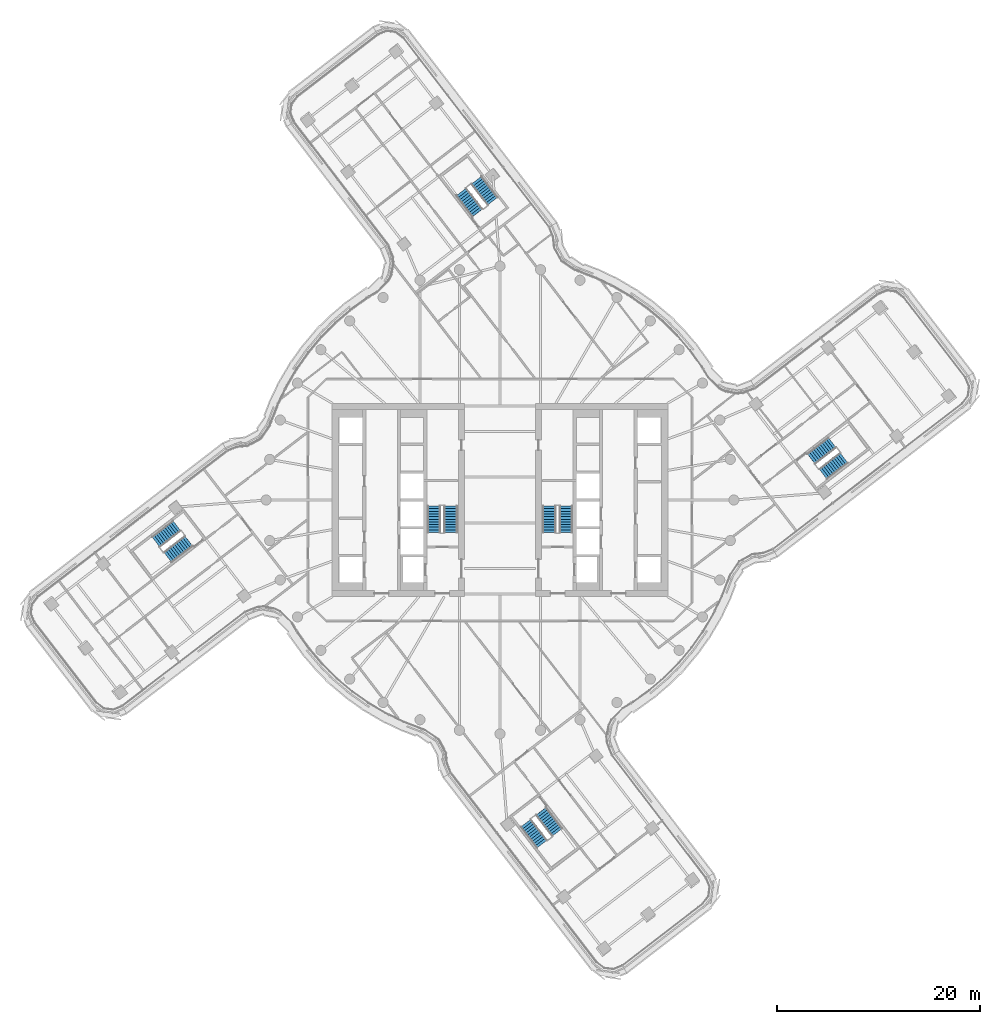
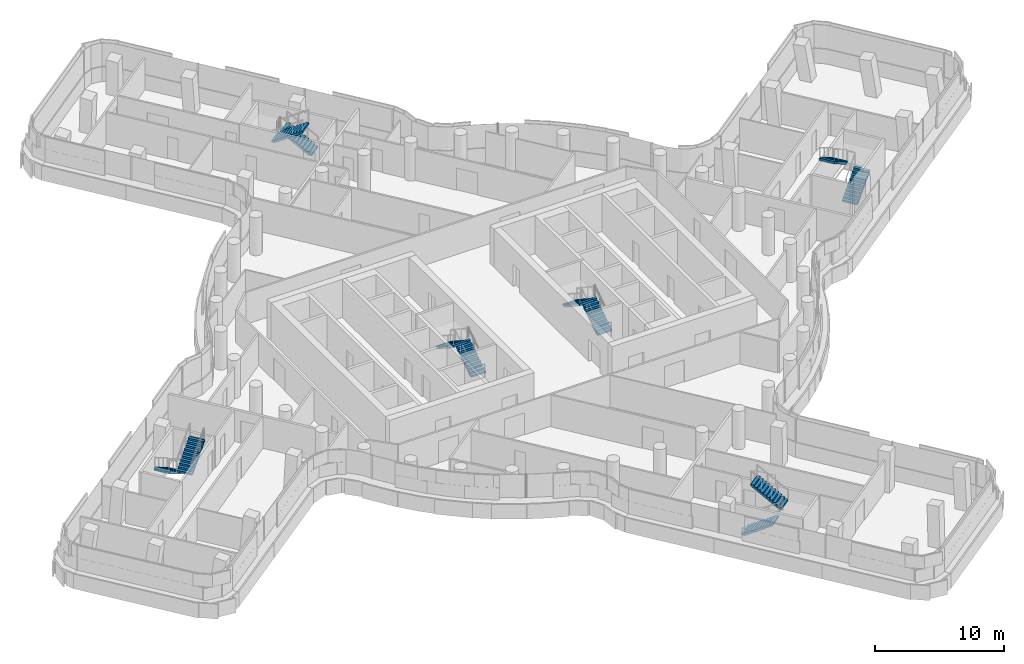
# One storey, part 25 of 33: 12 stair flights, 6 elements without a shape of their own.
"""IFC4 building model written with IfcOpenShell, lengths in metres."""

from ifc_helpers import new_model, si_unit, direction, frame, origin, place, context, subcontext, project, spatial, polyline, outline, extrude, material, type_object, element, aggregate, save


model = new_model("IFC4")

# Units and contexts
model_context = context("Model", 3, precision=1e-05, world=origin(), true_north=direction((0.0, 1.0)))
body_context = subcontext(model_context, "Body", "Model", "MODEL_VIEW")
ifc_project = project(units=[si_unit("LENGTHUNIT", "METRE"), si_unit("AREAUNIT", "SQUARE_METRE"), si_unit("VOLUMEUNIT", "CUBIC_METRE"), si_unit("PLANEANGLEUNIT", "RADIAN"), si_unit("MASSUNIT", "GRAM", prefix="KILO")], contexts=[model_context])

# Site, building, storey
site_placement = place(None, origin())
site = spatial("IfcSite", under=ifc_project, at=site_placement, CompositionType="ELEMENT")
building_placement = place(site_placement, origin())
building = spatial("IfcBuilding", under=site, at=building_placement, Name="Tamarind Cross Interchange Tower", CompositionType="ELEMENT")
storey_placement = place(building_placement, frame((0.0, 0.0, 170.5)))
storey = spatial("IfcBuildingStorey", under=building, at=storey_placement, Name="L42", CompositionType="ELEMENT", Elevation=170.5)

# Stair, stair flights
ifc_material_1 = material(Name="Exit stair")
stair_type = type_object("IfcStairType", Name="Exit stair", PredefinedType="HALF_TURN_STAIR", material=ifc_material_1)
stair_1_placement = place(storey_placement, origin())
stair_1 = element("IfcStair", 1, at=stair_1_placement, inside=storey, type_object=stair_type, Name="L42 exit stair ST1", PredefinedType="HALF_TURN_STAIR")
ifc_material_2 = material(Name="Exit stair flight")
stair_flight_type = type_object("IfcStairFlightType", Name="Exit stair flight", PredefinedType="STRAIGHT", material=ifc_material_2)
stair_flight_1_placement = place(storey_placement, frame((-4.85009765625, -3.199951171875, 0.0), z_axis=(0.0, 0.0, 1.0), x_axis=(0.0, 1.0, 0.0)))
stair_flight_1 = element("IfcStairFlight", 2, at=stair_flight_1_placement, type_object=stair_flight_type, Name="ST1 flight 1", NumberOfRisers=11, NumberOfTreads=10, PredefinedType="STRAIGHT", RiserHeight=0.170454545, TreadLength=0.26, context=body_context, shape_type="SweptSolid", body=[
    extrude(outline(polyline([(0.0, 0.0), (0.0, 0.17041015625), (0.260009765625, 0.17041015625), (0.260009765625, 0.3408203125), (0.52001953125, 0.3408203125), (0.52001953125, 0.511474609375), (0.780029296875, 0.511474609375), (0.780029296875, 0.681884765625), (1.0400390625, 0.681884765625), (1.0400390625, 0.852294921875), (1.300048828125, 0.852294921875), (1.300048828125, 1.022705078125), (1.56005859375, 1.022705078125), (1.56005859375, 1.193115234375), (1.820068359375, 1.193115234375), (1.820068359375, 1.363525390625), (2.080078125, 1.363525390625), (2.080078125, 1.5341796875), (2.340087890625, 1.5341796875), (2.340087890625, 1.70458984375), (2.60009765625, 1.70458984375), (2.60009765625, 1.875), (2.60009765625, 1.525390625), (0.2734375, 0.0), (0.0, 0.0)])), frame((0.0, 0.64990234375, 0.0), z_axis=(0.0, -1.0, 0.0), x_axis=(1.0, 0.0, 0.0)), (0.0, 0.0, 1.0), 1.300048828125),
])
stair_flight_2_placement = place(storey_placement, frame((-6.5, -0.60009765625, 1.875), z_axis=(0.0, 0.0, 1.0), x_axis=(0.0, -1.0, 0.0)))
stair_flight_2 = element("IfcStairFlight", 3, at=stair_flight_2_placement, type_object=stair_flight_type, Name="ST1 flight 2", NumberOfRisers=11, NumberOfTreads=10, PredefinedType="STRAIGHT", RiserHeight=0.170454545, TreadLength=0.26, context=body_context, shape_type="SweptSolid", body=[
    extrude(outline(polyline([(0.0, 0.0), (0.0, 0.17041015625), (0.260009765625, 0.17041015625), (0.260009765625, 0.3408203125), (0.52001953125, 0.3408203125), (0.52001953125, 0.511474609375), (0.780029296875, 0.511474609375), (0.780029296875, 0.681884765625), (1.0400390625, 0.681884765625), (1.0400390625, 0.852294921875), (1.300048828125, 0.852294921875), (1.300048828125, 1.022705078125), (1.56005859375, 1.022705078125), (1.56005859375, 1.193115234375), (1.820068359375, 1.193115234375), (1.820068359375, 1.363525390625), (2.080078125, 1.363525390625), (2.080078125, 1.5341796875), (2.340087890625, 1.5341796875), (2.340087890625, 1.70458984375), (2.60009765625, 1.70458984375), (2.60009765625, 1.7548828125), (2.612060546875, 1.7548828125), (2.612060546875, 1.533203125), (0.2734375, 0.0), (0.0, 0.0)])), frame((0.0, 0.64990234375, 0.0), z_axis=(0.0, -1.0, 0.0), x_axis=(1.0, 0.0, 0.0)), (0.0, 0.0, 1.0), 1.300048828125),
])
aggregate(stair_1, [stair_flight_1, stair_flight_2])

stair_2_placement = place(storey_placement, origin())
stair_2 = element("IfcStair", 4, at=stair_2_placement, inside=storey, type_object=stair_type, Name="L42 exit stair ST2", PredefinedType="HALF_TURN_STAIR")
stair_flight_3_placement = place(storey_placement, frame((6.5, -3.199951171875, 0.0), z_axis=(0.0, 0.0, 1.0), x_axis=(0.0, 1.0, 0.0)))
stair_flight_3 = element("IfcStairFlight", 5, at=stair_flight_3_placement, type_object=stair_flight_type, Name="ST2 flight 1", NumberOfRisers=11, NumberOfTreads=10, PredefinedType="STRAIGHT", RiserHeight=0.170454545, TreadLength=0.26, context=body_context, shape_type="SweptSolid", body=[
    extrude(outline(polyline([(0.0, 0.0), (0.0, 0.17041015625), (0.260009765625, 0.17041015625), (0.260009765625, 0.3408203125), (0.52001953125, 0.3408203125), (0.52001953125, 0.511474609375), (0.780029296875, 0.511474609375), (0.780029296875, 0.681884765625), (1.0400390625, 0.681884765625), (1.0400390625, 0.852294921875), (1.300048828125, 0.852294921875), (1.300048828125, 1.022705078125), (1.56005859375, 1.022705078125), (1.56005859375, 1.193115234375), (1.820068359375, 1.193115234375), (1.820068359375, 1.363525390625), (2.080078125, 1.363525390625), (2.080078125, 1.5341796875), (2.340087890625, 1.5341796875), (2.340087890625, 1.70458984375), (2.60009765625, 1.70458984375), (2.60009765625, 1.875), (2.60009765625, 1.525390625), (0.2734375, 0.0), (0.0, 0.0)])), frame((0.0, 0.64990234375, 0.0), z_axis=(0.0, -1.0, 0.0), x_axis=(1.0, 0.0, 0.0)), (0.0, 0.0, 1.0), 1.300048828125),
])
stair_flight_4_placement = place(storey_placement, frame((4.85009765625, -0.60009765625, 1.875), z_axis=(0.0, 0.0, 1.0), x_axis=(0.0, -1.0, 0.0)))
stair_flight_4 = element("IfcStairFlight", 6, at=stair_flight_4_placement, type_object=stair_flight_type, Name="ST2 flight 2", NumberOfRisers=11, NumberOfTreads=10, PredefinedType="STRAIGHT", RiserHeight=0.170454545, TreadLength=0.26, context=body_context, shape_type="SweptSolid", body=[
    extrude(outline(polyline([(0.0, 0.0), (0.0, 0.17041015625), (0.260009765625, 0.17041015625), (0.260009765625, 0.3408203125), (0.52001953125, 0.3408203125), (0.52001953125, 0.511474609375), (0.780029296875, 0.511474609375), (0.780029296875, 0.681884765625), (1.0400390625, 0.681884765625), (1.0400390625, 0.852294921875), (1.300048828125, 0.852294921875), (1.300048828125, 1.022705078125), (1.56005859375, 1.022705078125), (1.56005859375, 1.193115234375), (1.820068359375, 1.193115234375), (1.820068359375, 1.363525390625), (2.080078125, 1.363525390625), (2.080078125, 1.5341796875), (2.340087890625, 1.5341796875), (2.340087890625, 1.70458984375), (2.60009765625, 1.70458984375), (2.60009765625, 1.7548828125), (2.612060546875, 1.7548828125), (2.612060546875, 1.533203125), (0.2734375, 0.0), (0.0, 0.0)])), frame((0.0, 0.64990234375, 0.0), z_axis=(0.0, -1.0, 0.0), x_axis=(1.0, 0.0, 0.0)), (0.0, 0.0, 1.0), 1.300048828125),
])
aggregate(stair_2, [stair_flight_3, stair_flight_4])

stair_3_placement = place(storey_placement, origin())
stair_3 = element("IfcStair", 7, at=stair_3_placement, inside=storey, type_object=stair_type, Name="L42 exit stair ST3", PredefinedType="HALF_TURN_STAIR")
stair_flight_5_placement = place(storey_placement, frame((31.77783203125, 2.546875, 0.0), z_axis=(0.0, 0.0, 1.0), x_axis=(0.792153315847, 0.610322147879, 0.0)))
stair_flight_5 = element("IfcStairFlight", 8, at=stair_flight_5_placement, type_object=stair_flight_type, Name="ST3 flight 1", NumberOfRisers=11, NumberOfTreads=10, PredefinedType="STRAIGHT", RiserHeight=0.170454545, TreadLength=0.26, context=body_context, shape_type="SweptSolid", body=[
    extrude(outline(polyline([(0.0, 0.0), (0.0, 0.17041015625), (0.260009765625, 0.17041015625), (0.260009765625, 0.3408203125), (0.52001953125, 0.3408203125), (0.52001953125, 0.511474609375), (0.780029296875, 0.511474609375), (0.780029296875, 0.681884765625), (1.0400390625, 0.681884765625), (1.0400390625, 0.852294921875), (1.300048828125, 0.852294921875), (1.300048828125, 1.022705078125), (1.56005859375, 1.022705078125), (1.56005859375, 1.193115234375), (1.820068359375, 1.193115234375), (1.820068359375, 1.363525390625), (2.080078125, 1.363525390625), (2.080078125, 1.5341796875), (2.340087890625, 1.5341796875), (2.340087890625, 1.70458984375), (2.60009765625, 1.70458984375), (2.60009765625, 1.875), (2.60009765625, 1.525390625), (0.2734375, 0.0), (0.0, 0.0)])), frame((0.0, 0.64990234375, 0.0), z_axis=(0.0, -1.0, 0.0), x_axis=(1.0, 0.0, 0.0)), (0.0, 0.0, 1.0), 1.300048828125),
])
stair_flight_6_placement = place(storey_placement, frame((32.677734375, 5.638916015625, 1.875), z_axis=(0.0, 0.0, 1.0), x_axis=(-0.792153315847, -0.610322147879, 0.0)))
stair_flight_6 = element("IfcStairFlight", 9, at=stair_flight_6_placement, type_object=stair_flight_type, Name="ST3 flight 2", NumberOfRisers=11, NumberOfTreads=10, PredefinedType="STRAIGHT", RiserHeight=0.170454545, TreadLength=0.26, context=body_context, shape_type="SweptSolid", body=[
    extrude(outline(polyline([(0.0, 0.0), (0.0, 0.17041015625), (0.260009765625, 0.17041015625), (0.260009765625, 0.3408203125), (0.52001953125, 0.3408203125), (0.52001953125, 0.511474609375), (0.780029296875, 0.511474609375), (0.780029296875, 0.681884765625), (1.0400390625, 0.681884765625), (1.0400390625, 0.852294921875), (1.300048828125, 0.852294921875), (1.300048828125, 1.022705078125), (1.56005859375, 1.022705078125), (1.56005859375, 1.193115234375), (1.820068359375, 1.193115234375), (1.820068359375, 1.363525390625), (2.080078125, 1.363525390625), (2.080078125, 1.5341796875), (2.340087890625, 1.5341796875), (2.340087890625, 1.70458984375), (2.60009765625, 1.70458984375), (2.60009765625, 1.7548828125), (2.612060546875, 1.7548828125), (2.612060546875, 1.533203125), (0.2734375, 0.0), (0.0, 0.0)])), frame((0.0, 0.64990234375, 0.0), z_axis=(0.0, -1.0, 0.0), x_axis=(1.0, 0.0, 0.0)), (0.0, 0.0, 1.0), 1.300048828125),
])
aggregate(stair_3, [stair_flight_5, stair_flight_6])

stair_4_placement = place(storey_placement, origin())
stair_4 = element("IfcStair", 10, at=stair_4_placement, inside=storey, type_object=stair_type, Name="L42 exit stair ST4", PredefinedType="HALF_TURN_STAIR")
stair_flight_7_placement = place(storey_placement, frame((-0.716064453125, 29.4013671875, 0.0), z_axis=(0.0, 0.0, 1.0), x_axis=(-0.610322147879, 0.792153315847, 0.0)))
stair_flight_7 = element("IfcStairFlight", 11, at=stair_flight_7_placement, type_object=stair_flight_type, Name="ST4 flight 1", NumberOfRisers=11, NumberOfTreads=10, PredefinedType="STRAIGHT", RiserHeight=0.170454545, TreadLength=0.26, context=body_context, shape_type="SweptSolid", body=[
    extrude(outline(polyline([(0.0, 0.0), (0.0, 0.17041015625), (0.260009765625, 0.17041015625), (0.260009765625, 0.3408203125), (0.52001953125, 0.3408203125), (0.52001953125, 0.511474609375), (0.780029296875, 0.511474609375), (0.780029296875, 0.681884765625), (1.0400390625, 0.681884765625), (1.0400390625, 0.852294921875), (1.300048828125, 0.852294921875), (1.300048828125, 1.022705078125), (1.56005859375, 1.022705078125), (1.56005859375, 1.193115234375), (1.820068359375, 1.193115234375), (1.820068359375, 1.363525390625), (2.080078125, 1.363525390625), (2.080078125, 1.5341796875), (2.340087890625, 1.5341796875), (2.340087890625, 1.70458984375), (2.60009765625, 1.70458984375), (2.60009765625, 1.875), (2.60009765625, 1.525390625), (0.2734375, 0.0), (0.0, 0.0)])), frame((0.0, 0.64990234375, 0.0), z_axis=(0.0, -1.0, 0.0), x_axis=(1.0, 0.0, 0.0)), (0.0, 0.0, 1.0), 1.300048828125),
])
stair_flight_8_placement = place(storey_placement, frame((-3.807861328125, 30.30126953125, 1.875), z_axis=(0.0, 0.0, 1.0), x_axis=(0.610322147879, -0.792153315847, 0.0)))
stair_flight_8 = element("IfcStairFlight", 12, at=stair_flight_8_placement, type_object=stair_flight_type, Name="ST4 flight 2", NumberOfRisers=11, NumberOfTreads=10, PredefinedType="STRAIGHT", RiserHeight=0.170454545, TreadLength=0.26, context=body_context, shape_type="SweptSolid", body=[
    extrude(outline(polyline([(0.0, 0.0), (0.0, 0.17041015625), (0.260009765625, 0.17041015625), (0.260009765625, 0.3408203125), (0.52001953125, 0.3408203125), (0.52001953125, 0.511474609375), (0.780029296875, 0.511474609375), (0.780029296875, 0.681884765625), (1.0400390625, 0.681884765625), (1.0400390625, 0.852294921875), (1.300048828125, 0.852294921875), (1.300048828125, 1.022705078125), (1.56005859375, 1.022705078125), (1.56005859375, 1.193115234375), (1.820068359375, 1.193115234375), (1.820068359375, 1.363525390625), (2.080078125, 1.363525390625), (2.080078125, 1.5341796875), (2.340087890625, 1.5341796875), (2.340087890625, 1.70458984375), (2.60009765625, 1.70458984375), (2.60009765625, 1.7548828125), (2.612060546875, 1.7548828125), (2.612060546875, 1.533203125), (0.2734375, 0.0), (0.0, 0.0)])), frame((0.0, 0.64990234375, 0.0), z_axis=(0.0, -1.0, 0.0), x_axis=(1.0, 0.0, 0.0)), (0.0, 0.0, 1.0), 1.300048828125),
])
aggregate(stair_4, [stair_flight_7, stair_flight_8])

stair_5_placement = place(storey_placement, origin())
stair_5 = element("IfcStair", 13, at=stair_5_placement, inside=storey, type_object=stair_type, Name="L42 exit stair ST5", PredefinedType="HALF_TURN_STAIR")
stair_flight_9_placement = place(storey_placement, frame((-31.77783203125, -2.546875, 0.0), z_axis=(0.0, 0.0, 1.0), x_axis=(-0.792153315847, -0.610322147879, 0.0)))
stair_flight_9 = element("IfcStairFlight", 14, at=stair_flight_9_placement, type_object=stair_flight_type, Name="ST5 flight 1", NumberOfRisers=11, NumberOfTreads=10, PredefinedType="STRAIGHT", RiserHeight=0.170454545, TreadLength=0.26, context=body_context, shape_type="SweptSolid", body=[
    extrude(outline(polyline([(0.0, 0.0), (0.0, 0.17041015625), (0.260009765625, 0.17041015625), (0.260009765625, 0.3408203125), (0.52001953125, 0.3408203125), (0.52001953125, 0.511474609375), (0.780029296875, 0.511474609375), (0.780029296875, 0.681884765625), (1.0400390625, 0.681884765625), (1.0400390625, 0.852294921875), (1.300048828125, 0.852294921875), (1.300048828125, 1.022705078125), (1.56005859375, 1.022705078125), (1.56005859375, 1.193115234375), (1.820068359375, 1.193115234375), (1.820068359375, 1.363525390625), (2.080078125, 1.363525390625), (2.080078125, 1.5341796875), (2.340087890625, 1.5341796875), (2.340087890625, 1.70458984375), (2.60009765625, 1.70458984375), (2.60009765625, 1.875), (2.60009765625, 1.525390625), (0.2734375, 0.0), (0.0, 0.0)])), frame((0.0, 0.64990234375, 0.0), z_axis=(0.0, -1.0, 0.0), x_axis=(1.0, 0.0, 0.0)), (0.0, 0.0, 1.0), 1.300048828125),
])
stair_flight_10_placement = place(storey_placement, frame((-32.677734375, -5.638916015625, 1.875), z_axis=(0.0, 0.0, 1.0), x_axis=(0.792153315847, 0.610322147879, 0.0)))
stair_flight_10 = element("IfcStairFlight", 15, at=stair_flight_10_placement, type_object=stair_flight_type, Name="ST5 flight 2", NumberOfRisers=11, NumberOfTreads=10, PredefinedType="STRAIGHT", RiserHeight=0.170454545, TreadLength=0.26, context=body_context, shape_type="SweptSolid", body=[
    extrude(outline(polyline([(0.0, 0.0), (0.0, 0.17041015625), (0.260009765625, 0.17041015625), (0.260009765625, 0.3408203125), (0.52001953125, 0.3408203125), (0.52001953125, 0.511474609375), (0.780029296875, 0.511474609375), (0.780029296875, 0.681884765625), (1.0400390625, 0.681884765625), (1.0400390625, 0.852294921875), (1.300048828125, 0.852294921875), (1.300048828125, 1.022705078125), (1.56005859375, 1.022705078125), (1.56005859375, 1.193115234375), (1.820068359375, 1.193115234375), (1.820068359375, 1.363525390625), (2.080078125, 1.363525390625), (2.080078125, 1.5341796875), (2.340087890625, 1.5341796875), (2.340087890625, 1.70458984375), (2.60009765625, 1.70458984375), (2.60009765625, 1.7548828125), (2.612060546875, 1.7548828125), (2.612060546875, 1.533203125), (0.2734375, 0.0), (0.0, 0.0)])), frame((0.0, 0.64990234375, 0.0), z_axis=(0.0, -1.0, 0.0), x_axis=(1.0, 0.0, 0.0)), (0.0, 0.0, 1.0), 1.300048828125),
])
aggregate(stair_5, [stair_flight_9, stair_flight_10])

stair_6_placement = place(storey_placement, origin())
stair_6 = element("IfcStair", 16, at=stair_6_placement, inside=storey, type_object=stair_type, Name="L42 exit stair ST6", PredefinedType="HALF_TURN_STAIR")
stair_flight_11_placement = place(storey_placement, frame((2.546875, -31.77783203125, 0.0), z_axis=(0.0, 0.0, 1.0), x_axis=(0.610322147879, -0.792153315847, 0.0)))
stair_flight_11 = element("IfcStairFlight", 17, at=stair_flight_11_placement, type_object=stair_flight_type, Name="ST6 flight 1", NumberOfRisers=11, NumberOfTreads=10, PredefinedType="STRAIGHT", RiserHeight=0.170454545, TreadLength=0.26, context=body_context, shape_type="SweptSolid", body=[
    extrude(outline(polyline([(0.0, 0.0), (0.0, 0.17041015625), (0.260009765625, 0.17041015625), (0.260009765625, 0.3408203125), (0.52001953125, 0.3408203125), (0.52001953125, 0.511474609375), (0.780029296875, 0.511474609375), (0.780029296875, 0.681884765625), (1.0400390625, 0.681884765625), (1.0400390625, 0.852294921875), (1.300048828125, 0.852294921875), (1.300048828125, 1.022705078125), (1.56005859375, 1.022705078125), (1.56005859375, 1.193115234375), (1.820068359375, 1.193115234375), (1.820068359375, 1.363525390625), (2.080078125, 1.363525390625), (2.080078125, 1.5341796875), (2.340087890625, 1.5341796875), (2.340087890625, 1.70458984375), (2.60009765625, 1.70458984375), (2.60009765625, 1.875), (2.60009765625, 1.525390625), (0.2734375, 0.0), (0.0, 0.0)])), frame((0.0, 0.64990234375, 0.0), z_axis=(0.0, -1.0, 0.0), x_axis=(1.0, 0.0, 0.0)), (0.0, 0.0, 1.0), 1.300048828125),
])
stair_flight_12_placement = place(storey_placement, frame((5.638916015625, -32.677734375, 1.875), z_axis=(0.0, 0.0, 1.0), x_axis=(-0.610322147879, 0.792153315847, 0.0)))
stair_flight_12 = element("IfcStairFlight", 18, at=stair_flight_12_placement, type_object=stair_flight_type, Name="ST6 flight 2", NumberOfRisers=11, NumberOfTreads=10, PredefinedType="STRAIGHT", RiserHeight=0.170454545, TreadLength=0.26, context=body_context, shape_type="SweptSolid", body=[
    extrude(outline(polyline([(0.0, 0.0), (0.0, 0.17041015625), (0.260009765625, 0.17041015625), (0.260009765625, 0.3408203125), (0.52001953125, 0.3408203125), (0.52001953125, 0.511474609375), (0.780029296875, 0.511474609375), (0.780029296875, 0.681884765625), (1.0400390625, 0.681884765625), (1.0400390625, 0.852294921875), (1.300048828125, 0.852294921875), (1.300048828125, 1.022705078125), (1.56005859375, 1.022705078125), (1.56005859375, 1.193115234375), (1.820068359375, 1.193115234375), (1.820068359375, 1.363525390625), (2.080078125, 1.363525390625), (2.080078125, 1.5341796875), (2.340087890625, 1.5341796875), (2.340087890625, 1.70458984375), (2.60009765625, 1.70458984375), (2.60009765625, 1.7548828125), (2.612060546875, 1.7548828125), (2.612060546875, 1.533203125), (0.2734375, 0.0), (0.0, 0.0)])), frame((0.0, 0.64990234375, 0.0), z_axis=(0.0, -1.0, 0.0), x_axis=(1.0, 0.0, 0.0)), (0.0, 0.0, 1.0), 1.300048828125),
])
aggregate(stair_6, [stair_flight_11, stair_flight_12])

save(model, "model.ifc")
